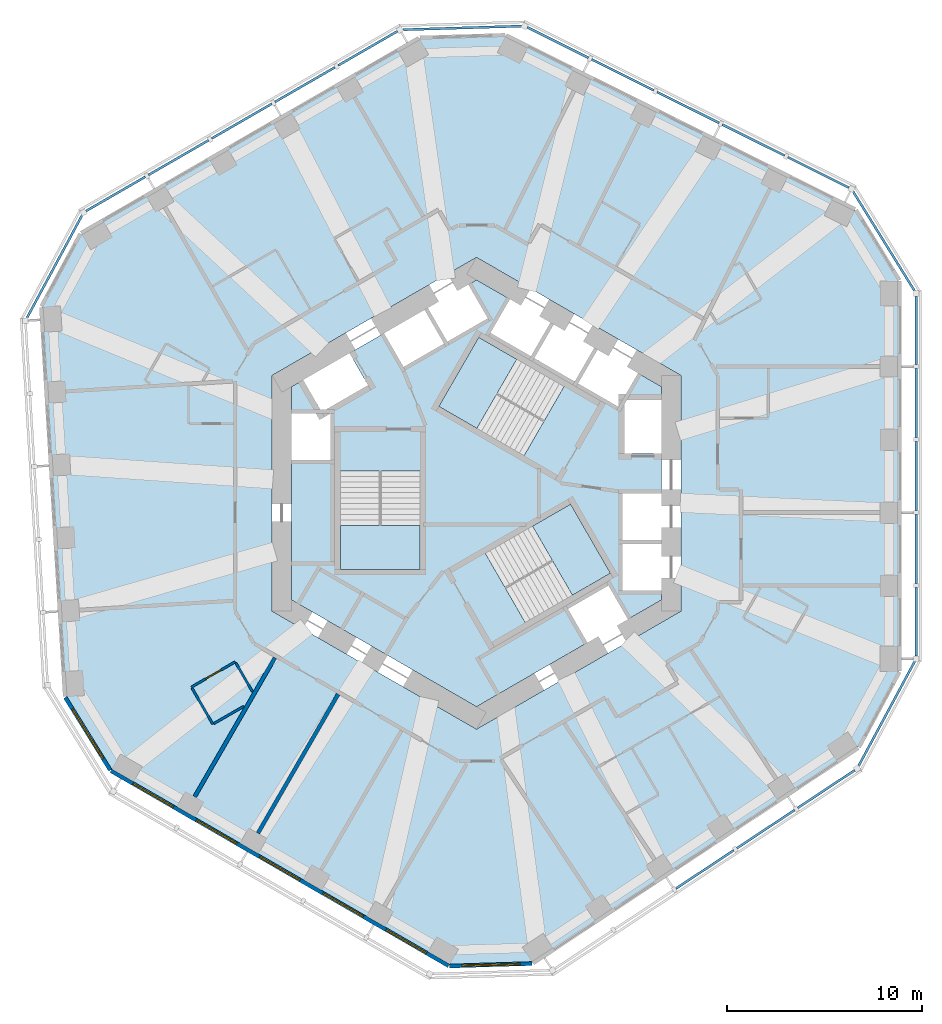
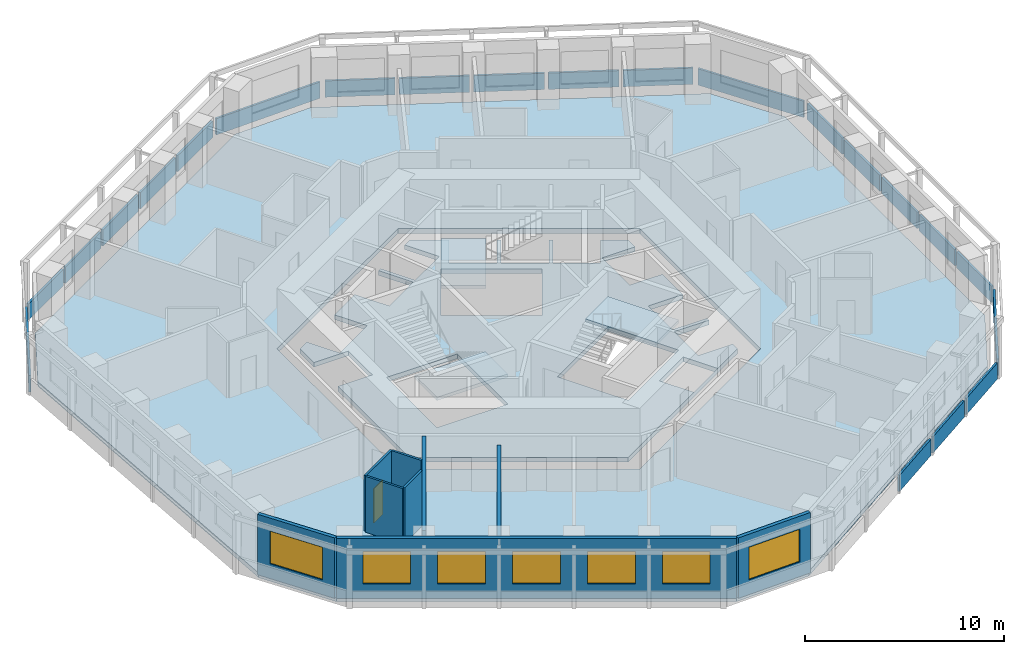
# One storey, part 3 of 11: 22 plates, 9 walls, 7 windows, 5 slabs, 1 door, 8 openings, 11 elements without a shape of their own.
"""IFC4 building model written with IfcOpenShell, lengths in metres."""

from ifc_helpers import new_model, si_unit, direction, frame, frame_2d, origin, origin_2d, place, context, subcontext, project, spatial, polyline, rectangle, outline, extrude, material, layer, layer_set, type_object, element, fill, aggregate, save


model = new_model("IFC4")

# Units and contexts
model_context = context("Model", 3, precision=1e-05, world=origin(), true_north=direction((0.0, 1.0)))
body_context = subcontext(model_context, "Body", "Model", "MODEL_VIEW")
ifc_project = project(units=[si_unit("LENGTHUNIT", "METRE"), si_unit("AREAUNIT", "SQUARE_METRE"), si_unit("VOLUMEUNIT", "CUBIC_METRE"), si_unit("PLANEANGLEUNIT", "RADIAN"), si_unit("MASSUNIT", "GRAM", prefix="KILO")], contexts=[model_context])

# Site, building, storey
site_placement = place(None, origin())
site = spatial("IfcSite", under=ifc_project, at=site_placement, CompositionType="ELEMENT")
building_placement = place(site_placement, origin())
building = spatial("IfcBuilding", under=site, at=building_placement, Name="Vanh Sen Convention Tower", CompositionType="ELEMENT")
storey_placement = place(building_placement, frame((0.0, 0.0, 128.10009765625)))
storey = spatial("IfcBuildingStorey", under=building, at=storey_placement, Name="L31", CompositionType="ELEMENT", Elevation=128.10009765625)

# Slabs
ifc_material_1 = material(Name="Concrete C40/50", Category="concrete")
ifc_layer_1 = layer(ifc_material_1, 0.280029296875)
ifc_layer_set_1 = layer_set([ifc_layer_1], Name="Concrete C40/50")
slab_type_1 = type_object("IfcSlabType", Name="Core slab 280", PredefinedType="FLOOR", material=ifc_layer_set_1)
slab_1_placement = place(storey_placement, frame((0.0, 0.0, -0.280029296875)))
element("IfcSlab", 1, at=slab_1_placement, inside=storey, type_object=slab_type_1, Name="Core slab L31", PredefinedType="FLOOR", context=body_context, shape_type="SweptSolid", body=[
    extrude(outline(polyline([(9.5, 5.48486328125), (9.5, 4.800048828125), (7.60009765625, 4.800048828125), (7.60009765625, 2.050048828125), (9.5, 2.050048828125), (9.5, 0.0), (7.5, 0.0), (7.5, -2.39990234375), (9.5, -2.39990234375), (9.5, -2.60009765625), (7.5, -2.60009765625), (7.5, -5.0), (9.5, -5.0), (9.5, -5.48486328125), (0.0, -10.9697265625), (-9.5, -5.48486328125), (-9.5, 1.699951171875), (-7.5, 1.699951171875), (-7.5, 4.10009765625), (-9.5, 4.10009765625), (-9.5, 5.48486328125), (-8.906982421875, 5.8271484375), (-7.956787109375, 4.181884765625), (-5.575439453125, 5.556884765625), (-6.525390625, 7.2021484375), (-4.75, 8.227294921875), (-3.75, 6.4951171875), (-1.67138671875, 7.6953125), (-2.67138671875, 9.42724609375), (-2.498291015625, 9.527099609375), (-1.498291015625, 7.795166015625), (0.580078125, 8.9951171875), (-0.419921875, 10.727294921875), (0.0, 10.9697265625), (1.718994140625, 9.977294921875), (0.718994140625, 8.2451171875), (2.79736328125, 7.045166015625), (3.79736328125, 8.777099609375), (3.970703125, 8.67724609375), (2.970703125, 6.9453125), (5.049072265625, 5.7451171875), (6.049072265625, 7.477294921875), (6.22216796875, 7.377197265625), (5.22216796875, 5.645263671875), (7.30078125, 4.4453125), (8.30078125, 6.17724609375), (9.5, 5.48486328125)]), holes=[polyline([(-7.0, 3.14990234375), (-7.0, -3.909912109375), (-2.89990234375, -3.909912109375), (-2.89990234375, 3.14990234375), (-2.89990234375, 1.1494140625), (-7.0, 1.1494140625), (-7.0, 3.14990234375)]), polyline([(4.495361328125, 5.487548828125), (6.22802734375, 4.4873046875), (0.11376953125, 8.01708984375), (-1.936279296875, 4.466552734375), (2.4453125, 1.936767578125), (4.495361328125, 5.487548828125)]), polyline([(7.781005859375, -6.477294921875), (6.781005859375, -4.7451171875), (4.70263671875, -5.9453125), (5.70263671875, -7.67724609375), (7.781005859375, -6.477294921875)]), polyline([(0.45458984375, -3.086181640625), (2.504638671875, -6.63671875), (6.88623046875, -4.107177734375), (4.836181640625, -0.556396484375), (-1.278076171875, -4.08642578125), (0.45458984375, -3.086181640625)])]), origin(), (0.0, 0.0, 1.0), 0.280029296875),
])
ifc_layer_2 = layer(ifc_material_1, 0.280029296875)
ifc_layer_set_2 = layer_set([ifc_layer_2], Name="Concrete C40/50")
slab_type_2 = type_object("IfcSlabType", Name="Floor slab 280 REI 120", PredefinedType="FLOOR", material=ifc_layer_set_2)
slab_2_placement = place(storey_placement, frame((0.0, 0.0, -0.280029296875)))
element("IfcSlab", 2, at=slab_2_placement, inside=storey, type_object=slab_type_2, Name="Floor slab L31 tower", PredefinedType="FLOOR", context=body_context, shape_type="SweptSolid", body=[
    extrude(outline(polyline([(21.699951171875, -9.15087890625), (21.699951171875, 10.91943359375), (19.454833984375, 14.5478515625), (1.492919921875, 23.503173828125), (-2.925048828125, 23.368408203125), (-20.306640625, 13.3330078125), (-22.326171875, 9.574462890625), (-21.100830078125, -10.458740234375), (-18.77490234375, -14.21728515625), (-1.393310546875, -24.25244140625), (2.871337890625, -24.122314453125), (19.60791015625, -13.04443359375), (21.699951171875, -9.15087890625)]), holes=[polyline([(0.0, 12.12451171875), (-10.5, 6.062255859375), (-10.5, -6.062255859375), (0.0, -12.12451171875), (10.5, -6.062255859375), (10.5, 6.062255859375), (0.0, 12.12451171875)])]), origin(), (0.0, 0.0, 1.0), 0.280029296875),
])

# Curtain wall, plates
ifc_material_2 = material(Name="Concrete C50/60", Category="concrete")
curtain_wall_type = type_object("IfcCurtainWallType", Name="Outer skin office zone", PredefinedType="NOTDEFINED", material=ifc_material_2)
curtain_wall_1_placement = place(storey_placement, origin())
curtain_wall_1 = element("IfcCurtainWall", 3, at=curtain_wall_1_placement, inside=storey, type_object=curtain_wall_type, Name="OUTER SKIN E L31", PredefinedType="NOTDEFINED")
ifc_layer_3 = layer(ifc_material_2, 0.1201171875)
ifc_layer_set_3 = layer_set([ifc_layer_3], Name="Concrete C50/60")
plate_type = type_object("IfcPlateType", Name="Outer skin precast screen panel 120", PredefinedType="CURTAIN_PANEL", material=ifc_layer_set_3)
plate_1_placement = place(storey_placement, frame((22.60009765625, -6.59912109375, 0.0), z_axis=(0.0, 0.0, 1.0), x_axis=(0.0, 1.0, 0.0)))
plate_1 = element("IfcPlate", 4, at=plate_1_placement, type_object=plate_type, Name="OUTER SKIN screen panel E-1", PredefinedType="CURTAIN_PANEL", context=body_context, shape_type="SweptSolid", body=[
    extrude(rectangle(XDim=3.504150390625, YDim=0.1201171875, at=origin_2d()), origin(), (0.0, 0.0, 1.0), 1.0),
])
plate_2_placement = place(storey_placement, frame((22.60009765625, -2.869873046875, 0.0), z_axis=(0.0, 0.0, 1.0), x_axis=(0.0, 1.0, 0.0)))
plate_2 = element("IfcPlate", 5, at=plate_2_placement, type_object=plate_type, Name="OUTER SKIN screen panel E-2", PredefinedType="CURTAIN_PANEL", context=body_context, shape_type="SweptSolid", body=[
    extrude(rectangle(XDim=3.55419921875, YDim=0.1201171875, at=origin_2d()), origin(), (0.0, 0.0, 1.0), 1.0),
])
plate_3_placement = place(storey_placement, frame((22.60009765625, 0.88427734375, 0.0), z_axis=(0.0, 0.0, 1.0), x_axis=(0.0, 1.0, 0.0)))
plate_3 = element("IfcPlate", 6, at=plate_3_placement, type_object=plate_type, Name="OUTER SKIN screen panel E-3", PredefinedType="CURTAIN_PANEL", context=body_context, shape_type="SweptSolid", body=[
    extrude(rectangle(XDim=3.55419921875, YDim=0.1201171875, at=origin_2d()), origin(), (0.0, 0.0, 1.0), 1.0),
])
plate_4_placement = place(storey_placement, frame((22.60009765625, 4.63818359375, 0.0), z_axis=(0.0, 0.0, 1.0), x_axis=(0.0, 1.0, 0.0)))
plate_4 = element("IfcPlate", 7, at=plate_4_placement, type_object=plate_type, Name="OUTER SKIN screen panel E-4", PredefinedType="CURTAIN_PANEL", context=body_context, shape_type="SweptSolid", body=[
    extrude(rectangle(XDim=3.55419921875, YDim=0.1201171875, at=origin_2d()), origin(), (0.0, 0.0, 1.0), 1.0),
])
plate_5_placement = place(storey_placement, frame((22.60009765625, 8.367431640625, 0.0), z_axis=(0.0, 0.0, 1.0), x_axis=(0.0, 1.0, 0.0)))
plate_5 = element("IfcPlate", 8, at=plate_5_placement, type_object=plate_type, Name="OUTER SKIN screen panel E-5", PredefinedType="CURTAIN_PANEL", context=body_context, shape_type="SweptSolid", body=[
    extrude(rectangle(XDim=3.504150390625, YDim=0.1201171875, at=origin_2d()), origin(), (0.0, 0.0, 1.0), 1.0),
])
aggregate(curtain_wall_1, [plate_1, plate_2, plate_3, plate_4, plate_5])

# Curtain wall, plate
curtain_wall_2_placement = place(storey_placement, origin())
curtain_wall_2 = element("IfcCurtainWall", 9, at=curtain_wall_2_placement, inside=storey, type_object=curtain_wall_type, Name="OUTER SKIN CH1 L31", PredefinedType="NOTDEFINED")
plate_6_placement = place(storey_placement, frame((20.937255859375, 12.956298828125, 0.0), z_axis=(0.0, 0.0, 1.0), x_axis=(-0.5262035346, 0.850358653848, 0.0)))
plate_6 = element("IfcPlate", 10, at=plate_6_placement, type_object=plate_type, Name="OUTER SKIN screen panel CH1-1", PredefinedType="CURTAIN_PANEL", context=body_context, shape_type="SweptSolid", body=[
    extrude(rectangle(XDim=6.01953125, YDim=0.1201171875, at=origin_2d()), origin(), (0.0, 0.0, 1.0), 1.0),
])
aggregate(curtain_wall_2, [plate_6])

# Curtain wall, plates
curtain_wall_3_placement = place(storey_placement, origin())
curtain_wall_3 = element("IfcCurtainWall", 11, at=curtain_wall_3_placement, inside=storey, type_object=curtain_wall_type, Name="OUTER SKIN NE L31", PredefinedType="NOTDEFINED")
plate_7_placement = place(storey_placement, frame((17.572509765625, 16.491943359375, 0.0), z_axis=(0.0, 0.0, 1.0), x_axis=(-0.894943706551, 0.446179069551, 0.0)))
plate_7 = element("IfcPlate", 12, at=plate_7_placement, type_object=plate_type, Name="OUTER SKIN screen panel NE-1", PredefinedType="CURTAIN_PANEL", context=body_context, shape_type="SweptSolid", body=[
    extrude(rectangle(XDim=3.504150390625, YDim=0.1201171875, at=origin_2d()), origin(), (0.0, 0.0, 1.0), 1.0),
])
plate_8_placement = place(storey_placement, frame((14.235107421875, 18.156005859375, 0.0), z_axis=(0.0, 0.0, 1.0), x_axis=(-0.894932804072, 0.446200937017, 0.0)))
plate_8 = element("IfcPlate", 13, at=plate_8_placement, type_object=plate_type, Name="OUTER SKIN screen panel NE-2", PredefinedType="CURTAIN_PANEL", context=body_context, shape_type="SweptSolid", body=[
    extrude(rectangle(XDim=3.55419921875, YDim=0.1201171875, at=origin_2d()), origin(), (0.0, 0.0, 1.0), 1.0),
])
plate_9_placement = place(storey_placement, frame((10.87548828125, 19.8310546875, 0.0), z_axis=(0.0, 0.0, 1.0), x_axis=(-0.894932804072, 0.446200937017, 0.0)))
plate_9 = element("IfcPlate", 14, at=plate_9_placement, type_object=plate_type, Name="OUTER SKIN screen panel NE-3", PredefinedType="CURTAIN_PANEL", context=body_context, shape_type="SweptSolid", body=[
    extrude(rectangle(XDim=3.55419921875, YDim=0.1201171875, at=origin_2d()), origin(), (0.0, 0.0, 1.0), 1.0),
])
plate_10_placement = place(storey_placement, frame((7.515625, 21.506103515625, 0.0), z_axis=(0.0, 0.0, 1.0), x_axis=(-0.894932804072, 0.446200937017, 0.0)))
plate_10 = element("IfcPlate", 15, at=plate_10_placement, type_object=plate_type, Name="OUTER SKIN screen panel NE-4", PredefinedType="CURTAIN_PANEL", context=body_context, shape_type="SweptSolid", body=[
    extrude(rectangle(XDim=3.55419921875, YDim=0.1201171875, at=origin_2d()), origin(), (0.0, 0.0, 1.0), 1.0),
])
plate_11_placement = place(storey_placement, frame((4.178466796875, 23.169921875, 0.0), z_axis=(0.0, 0.0, 1.0), x_axis=(-0.894943706551, 0.446179069551, 0.0)))
plate_11 = element("IfcPlate", 16, at=plate_11_placement, type_object=plate_type, Name="OUTER SKIN screen panel NE-5", PredefinedType="CURTAIN_PANEL", context=body_context, shape_type="SweptSolid", body=[
    extrude(rectangle(XDim=3.504150390625, YDim=0.1201171875, at=origin_2d()), origin(), (0.0, 0.0, 1.0), 1.0),
])
aggregate(curtain_wall_3, [plate_7, plate_8, plate_9, plate_10, plate_11])

# Curtain wall, plate
curtain_wall_4_placement = place(storey_placement, origin())
curtain_wall_4 = element("IfcCurtainWall", 17, at=curtain_wall_4_placement, inside=storey, type_object=curtain_wall_type, Name="OUTER SKIN CH2 L31", PredefinedType="NOTDEFINED")
plate_12_placement = place(storey_placement, frame((-0.73095703125, 23.920654296875, 0.0), z_axis=(0.0, 0.0, 1.0), x_axis=(-0.999533590837, -0.03053851321, 0.0)))
plate_12 = element("IfcPlate", 18, at=plate_12_placement, type_object=plate_type, Name="OUTER SKIN screen panel CH2-1", PredefinedType="CURTAIN_PANEL", context=body_context, shape_type="SweptSolid", body=[
    extrude(rectangle(XDim=6.1171875, YDim=0.1201171875, at=origin_2d()), origin(), (0.0, 0.0, 1.0), 1.0),
])
aggregate(curtain_wall_4, [plate_12])

# Curtain wall, plates
curtain_wall_5_placement = place(storey_placement, origin())
curtain_wall_5 = element("IfcCurtainWall", 19, at=curtain_wall_5_placement, inside=storey, type_object=curtain_wall_type, Name="OUTER SKIN NW L31", PredefinedType="NOTDEFINED")
plate_13_placement = place(storey_placement, frame((-5.585205078125, 22.87158203125, 0.0), z_axis=(0.0, 0.0, 1.0), x_axis=(-0.866035002936, -0.499983373414, 0.0)))
plate_13 = element("IfcPlate", 20, at=plate_13_placement, type_object=plate_type, Name="OUTER SKIN screen panel NW-1", PredefinedType="CURTAIN_PANEL", context=body_context, shape_type="SweptSolid", body=[
    extrude(rectangle(XDim=3.504150390625, YDim=0.1201171875, at=origin_2d()), origin(), (0.0, 0.0, 1.0), 1.0),
])
plate_14_placement = place(storey_placement, frame((-8.814697265625, 21.007080078125, 0.0), z_axis=(0.0, 0.0, 1.0), x_axis=(-0.866016677006, -0.500015114919, 0.0)))
plate_14 = element("IfcPlate", 21, at=plate_14_placement, type_object=plate_type, Name="OUTER SKIN screen panel NW-2", PredefinedType="CURTAIN_PANEL", context=body_context, shape_type="SweptSolid", body=[
    extrude(rectangle(XDim=3.55419921875, YDim=0.1201171875, at=origin_2d()), origin(), (0.0, 0.0, 1.0), 1.0),
])
plate_15_placement = place(storey_placement, frame((-12.06591796875, 19.1298828125, 0.0), z_axis=(0.0, 0.0, 1.0), x_axis=(-0.866035002936, -0.499983373414, 0.0)))
plate_15 = element("IfcPlate", 22, at=plate_15_placement, type_object=plate_type, Name="OUTER SKIN screen panel NW-3", PredefinedType="CURTAIN_PANEL", context=body_context, shape_type="SweptSolid", body=[
    extrude(rectangle(XDim=3.55419921875, YDim=0.1201171875, at=origin_2d()), origin(), (0.0, 0.0, 1.0), 1.0),
])
plate_16_placement = place(storey_placement, frame((-15.31689453125, 17.2529296875, 0.0), z_axis=(0.0, 0.0, 1.0), x_axis=(-0.866016677006, -0.500015114919, 0.0)))
plate_16 = element("IfcPlate", 23, at=plate_16_placement, type_object=plate_type, Name="OUTER SKIN screen panel NW-4", PredefinedType="CURTAIN_PANEL", context=body_context, shape_type="SweptSolid", body=[
    extrude(rectangle(XDim=3.55419921875, YDim=0.1201171875, at=origin_2d()), origin(), (0.0, 0.0, 1.0), 1.0),
])
plate_17_placement = place(storey_placement, frame((-18.54638671875, 15.388427734375, 0.0), z_axis=(0.0, 0.0, 1.0), x_axis=(-0.866035002936, -0.499983373414, 0.0)))
plate_17 = element("IfcPlate", 24, at=plate_17_placement, type_object=plate_type, Name="OUTER SKIN screen panel NW-5", PredefinedType="CURTAIN_PANEL", context=body_context, shape_type="SweptSolid", body=[
    extrude(rectangle(XDim=3.504150390625, YDim=0.1201171875, at=origin_2d()), origin(), (0.0, 0.0, 1.0), 1.0),
])
aggregate(curtain_wall_5, [plate_13, plate_14, plate_15, plate_16, plate_17])

# Curtain wall, plate
curtain_wall_6_placement = place(storey_placement, origin())
curtain_wall_6 = element("IfcCurtainWall", 25, at=curtain_wall_6_placement, inside=storey, type_object=curtain_wall_type, Name="OUTER SKIN CH3 L31", PredefinedType="NOTDEFINED")
plate_18_placement = place(storey_placement, frame((-21.689208984375, 11.654052734375, 0.0), z_axis=(0.0, 0.0, 1.0), x_axis=(-0.47331812974, -0.880891564303, 0.0)))
plate_18 = element("IfcPlate", 26, at=plate_18_placement, type_object=plate_type, Name="OUTER SKIN screen panel CH3-1", PredefinedType="CURTAIN_PANEL", context=body_context, shape_type="SweptSolid", body=[
    extrude(rectangle(XDim=6.019287109375, YDim=0.1201171875, at=origin_2d()), origin(), (0.0, 0.0, 1.0), 1.0),
])
aggregate(curtain_wall_6, [plate_18])

# Curtain wall, plates
curtain_wall_7_placement = place(storey_placement, origin())
curtain_wall_7 = element("IfcCurtainWall", 27, at=curtain_wall_7_placement, inside=storey, type_object=curtain_wall_type, Name="OUTER SKIN SE L31", PredefinedType="NOTDEFINED")
plate_19_placement = place(storey_placement, frame((11.736328125, -19.333984375, 0.0), z_axis=(0.0, 0.0, 1.0), x_axis=(0.833877152158, 0.551950083892, 0.0)))
plate_19 = element("IfcPlate", 28, at=plate_19_placement, type_object=plate_type, Name="OUTER SKIN screen panel SE-3", PredefinedType="CURTAIN_PANEL", context=body_context, shape_type="SweptSolid", body=[
    extrude(rectangle(XDim=3.55419921875, YDim=0.1201171875, at=origin_2d()), origin(), (0.0, 0.0, 1.0), 1.0),
])
plate_20_placement = place(storey_placement, frame((14.866943359375, -17.26171875, 0.0), z_axis=(0.0, 0.0, 1.0), x_axis=(0.833889675294, 0.551931163677, 0.0)))
plate_20 = element("IfcPlate", 29, at=plate_20_placement, type_object=plate_type, Name="OUTER SKIN screen panel SE-4", PredefinedType="CURTAIN_PANEL", context=body_context, shape_type="SweptSolid", body=[
    extrude(rectangle(XDim=3.55419921875, YDim=0.1201171875, at=origin_2d()), origin(), (0.0, 0.0, 1.0), 1.0),
])
plate_21_placement = place(storey_placement, frame((17.9765625, -15.20361328125, 0.0), z_axis=(0.0, 0.0, 1.0), x_axis=(0.833889675294, 0.551931163677, 0.0)))
plate_21 = element("IfcPlate", 30, at=plate_21_placement, type_object=plate_type, Name="OUTER SKIN screen panel SE-5", PredefinedType="CURTAIN_PANEL", context=body_context, shape_type="SweptSolid", body=[
    extrude(rectangle(XDim=3.504150390625, YDim=0.1201171875, at=origin_2d()), origin(), (0.0, 0.0, 1.0), 1.0),
])
aggregate(curtain_wall_7, [plate_19, plate_20, plate_21])

# Curtain wall, plate
curtain_wall_8_placement = place(storey_placement, origin())
curtain_wall_8 = element("IfcCurtainWall", 31, at=curtain_wall_8_placement, inside=storey, type_object=curtain_wall_type, Name="OUTER SKIN CH6 L31", PredefinedType="NOTDEFINED")
plate_22_placement = place(storey_placement, frame((21.081298828125, -11.327392578125, 0.0), z_axis=(0.0, 0.0, 1.0), x_axis=(0.473321204628, 0.880889912105, 0.0)))
plate_22 = element("IfcPlate", 32, at=plate_22_placement, type_object=plate_type, Name="OUTER SKIN screen panel CH6-1", PredefinedType="CURTAIN_PANEL", context=body_context, shape_type="SweptSolid", body=[
    extrude(rectangle(XDim=6.1171875, YDim=0.1201171875, at=origin_2d()), origin(), (0.0, 0.0, 1.0), 1.0),
])
aggregate(curtain_wall_8, [plate_22])

# Stair, slab
ifc_material_3 = material(Name="Concrete C50/60", Category="concrete")
stair_type_1 = type_object("IfcStairType", Name="Exit stair ST1 22 risers at 168.2", PredefinedType="HALF_TURN_STAIR", material=ifc_material_3)
stair_1_placement = place(storey_placement, origin())
stair_1 = element("IfcStair", 33, at=stair_1_placement, inside=storey, type_object=stair_type_1, Name="Exit stair ST1 L31", PredefinedType="HALF_TURN_STAIR")
ifc_layer_4 = layer(ifc_material_1, 0.199951171875)
ifc_layer_set_4 = layer_set([ifc_layer_4], Name="Concrete C40/50")
slab_type_3 = type_object("IfcSlabType", Name="Stair landing 200", PredefinedType="LANDING", material=ifc_layer_set_4)
slab_3_placement = place(storey_placement, frame((0.0, 0.0, 1.64990234375)))
slab_3 = element("IfcSlab", 34, at=slab_3_placement, type_object=slab_type_3, Name="ST1 landing 1", PredefinedType="LANDING", context=body_context, shape_type="SweptSolid", body=[
    extrude(outline(polyline([(2.07177734375, 6.88671875), (0.11376953125, 8.01708984375), (-1.936279296875, 4.466552734375), (0.021728515625, 3.336181640625), (2.07177734375, 6.88671875)])), origin(), (0.0, 0.0, 1.0), 0.199951171875),
])
aggregate(stair_1, [slab_3])

stair_type_2 = type_object("IfcStairType", Name="Exit stair ST2 22 risers at 168.2", PredefinedType="HALF_TURN_STAIR", material=ifc_material_3)
stair_2_placement = place(storey_placement, origin())
stair_2 = element("IfcStair", 35, at=stair_2_placement, inside=storey, type_object=stair_type_2, Name="Exit stair ST2 L31", PredefinedType="HALF_TURN_STAIR")
slab_4_placement = place(storey_placement, frame((0.0, 0.0, 1.64990234375)))
slab_4 = element("IfcSlab", 36, at=slab_4_placement, type_object=slab_type_3, Name="ST2 landing 1", PredefinedType="LANDING", context=body_context, shape_type="SweptSolid", body=[
    extrude(outline(polyline([(-7.0, -1.6494140625), (-7.0, -3.909912109375), (-2.89990234375, -3.909912109375), (-2.89990234375, -1.6494140625), (-7.0, -1.6494140625)])), origin(), (0.0, 0.0, 1.0), 0.199951171875),
])
aggregate(stair_2, [slab_4])

stair_type_3 = type_object("IfcStairType", Name="Exit stair ST3 22 risers at 168.2", PredefinedType="HALF_TURN_STAIR", material=ifc_material_3)
stair_3_placement = place(storey_placement, origin())
stair_3 = element("IfcStair", 37, at=stair_3_placement, inside=storey, type_object=stair_type_3, Name="Exit stair ST3 L31", PredefinedType="HALF_TURN_STAIR")
slab_5_placement = place(storey_placement, frame((0.0, 0.0, 1.64990234375)))
slab_5 = element("IfcSlab", 38, at=slab_5_placement, type_object=slab_type_3, Name="ST3 landing 1", PredefinedType="LANDING", context=body_context, shape_type="SweptSolid", body=[
    extrude(outline(polyline([(4.92822265625, -5.237548828125), (6.88623046875, -4.107177734375), (4.836181640625, -0.556396484375), (2.87841796875, -1.686767578125), (4.92822265625, -5.237548828125)])), origin(), (0.0, 0.0, 1.0), 0.199951171875),
])
aggregate(stair_3, [slab_5])

# Wall, opening, door
ifc_material_4 = material(Name="Moisture-resistant gypsum board on steel studs", Category="steel")
ifc_layer_5 = layer(ifc_material_4, 0.1201171875)
ifc_layer_set_5 = layer_set([ifc_layer_5], Name="Moisture-resistant gypsum board on steel studs")
wall_type_1 = type_object("IfcWallType", Name="Bathroom partition 120", PredefinedType="PARTITIONING", material=ifc_layer_set_5)
wall_1_placement = place(storey_placement, frame((-14.652587890625, -9.960693359375, 0.0), z_axis=(0.0, 0.0, 1.0), x_axis=(0.866021400173, 0.500006934395, 0.0)))
wall_1 = element("IfcWall", 39, at=wall_1_placement, inside=storey, type_object=wall_type_1, Name="Bathroom partition 120", PredefinedType="PARTITIONING", context=body_context, shape_type="SweptSolid", body=[
    extrude(rectangle(XDim=2.60009765625, YDim=0.1201171875, at=frame_2d((1.300048828125, 0.0))), origin(), (0.0, 0.0, 1.0), 3.419921875),
])
opening_1_placement = place(wall_1_placement, frame((0.85009765625, 0.0, 0.0)))
opening_1 = element("IfcOpeningElement", 40, at=opening_1_placement, cuts=wall_1, Name="Opening D30118", PredefinedType="OPENING", context=body_context, shape_type="SweptSolid", body=[
    extrude(rectangle(XDim=0.89990234375, YDim=2.10009765625, at=frame_2d((0.449951171875, 1.050048828125))), frame((0.0, 0.070068359375, 0.0), z_axis=(0.0, -1.0, 0.0), x_axis=(1.0, 0.0, 0.0)), (0.0, 0.0, 1.0), 0.14013671875),
])
ifc_material_5 = material(Name="Laminate door in steel frame", Category="steel")
door_type = type_object("IfcDoorType", Name="Room internal door 900", OperationType="SINGLE_SWING_LEFT", PredefinedType="DOOR", material=ifc_material_5)
door_placement = place(opening_1_placement, origin())
door = element("IfcDoor", 41, at=door_placement, inside=storey, type_object=door_type, Name="Internal room door D30118", OperationType="SINGLE_SWING_LEFT", OverallHeight=2.10009765625, OverallWidth=0.89990234375, PredefinedType="DOOR", context=body_context, shape_type="SweptSolid", body=[
    extrude(rectangle(XDim=0.89990234375, YDim=2.10009765625, at=frame_2d((0.449951171875, 1.050048828125))), frame((0.0, 0.02490234375, 0.0), z_axis=(0.0, -1.0, 0.0), x_axis=(1.0, 0.0, 0.0)), (0.0, 0.0, 1.0), 0.050048828125),
])
fill(opening_1, door)

# Walls
wall_2_placement = place(storey_placement, frame((-13.552490234375, -11.865966796875, 0.0), z_axis=(0.0, 0.0, 1.0), x_axis=(-0.500028586798, 0.86600889856, 0.0)))
element("IfcWall", 42, at=wall_2_placement, inside=storey, type_object=wall_type_1, Name="Bathroom partition 120", PredefinedType="PARTITIONING", context=body_context, shape_type="SweptSolid", body=[
    extrude(rectangle(XDim=2.139892578125, YDim=0.1201171875, at=frame_2d((1.06982421875, 0.0))), origin(), (0.0, 0.0, 1.0), 3.419921875),
])
wall_3_placement = place(storey_placement, frame((-12.370849609375, -8.712646484375, 0.0), z_axis=(0.0, 0.0, 1.0), x_axis=(0.499910907645, -0.86607683517, 0.0)))
element("IfcWall", 43, at=wall_3_placement, inside=storey, type_object=wall_type_1, Name="Bathroom partition 120", PredefinedType="PARTITIONING", context=body_context, shape_type="SweptSolid", body=[
    extrude(rectangle(XDim=1.719482421875, YDim=0.1201171875, at=frame_2d((0.85986328125, 0.0))), origin(), (0.0, 0.0, 1.0), 3.419921875),
])
wall_4_placement = place(storey_placement, frame((-11.96435546875, -10.948974609375, 0.0), z_axis=(0.0, 0.0, 1.0), x_axis=(-0.86600680221, -0.500032217487, 0.0)))
element("IfcWall", 44, at=wall_4_placement, inside=storey, type_object=wall_type_1, Name="Bathroom partition 120", PredefinedType="PARTITIONING", context=body_context, shape_type="SweptSolid", body=[
    extrude(rectangle(XDim=1.77392578125, YDim=0.1201171875, at=frame_2d((0.886962890625, 0.0))), origin(), (0.0, 0.0, 1.0), 3.419921875),
])

# Wall, opening, window
ifc_material_6 = material(Name="Insulated lightweight infill wall")
ifc_layer_6 = layer(ifc_material_6, 0.199951171875)
ifc_layer_set_6 = layer_set([ifc_layer_6], Name="Insulated lightweight infill wall")
wall_type_2 = type_object("IfcWallType", Name="External wall 200", PredefinedType="STANDARD", material=ifc_layer_set_6)
wall_5_placement = place(storey_placement, frame((-21.13671875, -10.49560546875, 0.0), z_axis=(0.0, 0.0, 1.0), x_axis=(0.526178661629, -0.850374044786, 0.0)))
wall_5 = element("IfcWall", 45, at=wall_5_placement, inside=storey, type_object=wall_type_2, Name="External wall CH4 L31", PredefinedType="STANDARD", context=body_context, shape_type="SweptSolid", body=[
    extrude(rectangle(XDim=4.394775390625, YDim=0.199951171875, at=frame_2d((2.197265625, 0.0))), origin(), (0.0, 0.0, 1.0), 3.699951171875),
])
opening_2_placement = place(wall_5_placement, frame((0.697509765625, 0.0, 0.89990234375)))
opening_2 = element("IfcOpeningElement", 46, at=opening_2_placement, cuts=wall_5, Name="Opening WO2-CH41", PredefinedType="OPENING", context=body_context, shape_type="SweptSolid", body=[
    extrude(rectangle(XDim=3.0, YDim=2.0, at=frame_2d((1.5, 1.0))), frame((0.0, 0.10986328125, 0.0), z_axis=(0.0, -1.0, 0.0), x_axis=(1.0, 0.0, 0.0)), (0.0, 0.0, 1.0), 0.219970703125),
])
ifc_material_7 = material(Name="Aluminium frame with clear low-emissivity glass", Category="aluminium")
window_type_1 = type_object("IfcWindowType", Name="Office window 3000 x 2000", PartitioningType="SINGLE_PANEL", PredefinedType="WINDOW", material=ifc_material_7)
window_1_placement = place(opening_2_placement, origin())
window_1 = element("IfcWindow", 47, at=window_1_placement, inside=storey, type_object=window_type_1, Name="Window WO2-CH41", OverallHeight=2.0, OverallWidth=3.0, PartitioningType="SINGLE_PANEL", PredefinedType="WINDOW", context=body_context, shape_type="SweptSolid", body=[
    extrude(rectangle(XDim=3.0, YDim=2.0, at=frame_2d((1.5, 1.0))), frame((0.0, 0.030029296875, 0.0), z_axis=(0.0, -1.0, 0.0), x_axis=(1.0, 0.0, 0.0)), (0.0, 0.0, 1.0), 0.06005859375),
])
fill(opening_2, window_1)

# Wall, openings, windows
wall_6_placement = place(storey_placement, frame((-18.7890625, -14.266845703125, 0.0), z_axis=(0.0, 0.0, 1.0), x_axis=(0.866023315909, -0.500003616288, 0.0)))
wall_6 = element("IfcWall", 48, at=wall_6_placement, inside=storey, type_object=wall_type_2, Name="External wall SW L31", PredefinedType="STANDARD", context=body_context, shape_type="SweptSolid", body=[
    extrude(rectangle(XDim=20.043701171875, YDim=0.199951171875, at=frame_2d((10.02197265625, 0.0))), origin(), (0.0, 0.0, 1.0), 3.699951171875),
])
opening_3_placement = place(wall_6_placement, frame((1.314453125, 0.0, 0.89990234375)))
opening_3 = element("IfcOpeningElement", 49, at=opening_3_placement, cuts=wall_6, Name="Opening WO1-SW1", PredefinedType="OPENING", context=body_context, shape_type="SweptSolid", body=[
    extrude(rectangle(XDim=2.39990234375, YDim=2.0, at=frame_2d((1.199951171875, 1.0))), frame((0.0, 0.10986328125, 0.0), z_axis=(0.0, -1.0, 0.0), x_axis=(1.0, 0.0, 0.0)), (0.0, 0.0, 1.0), 0.219970703125),
])
opening_4_placement = place(wall_6_placement, frame((5.068603515625, 0.0, 0.89990234375)))
opening_4 = element("IfcOpeningElement", 50, at=opening_4_placement, cuts=wall_6, Name="Opening WO1-SW2", PredefinedType="OPENING", context=body_context, shape_type="SweptSolid", body=[
    extrude(rectangle(XDim=2.39990234375, YDim=2.0, at=frame_2d((1.199951171875, 1.0))), frame((0.0, 0.10986328125, 0.0), z_axis=(0.0, -1.0, 0.0), x_axis=(1.0, 0.0, 0.0)), (0.0, 0.0, 1.0), 0.219970703125),
])
opening_5_placement = place(wall_6_placement, frame((8.82275390625, 0.0, 0.89990234375)))
opening_5 = element("IfcOpeningElement", 51, at=opening_5_placement, cuts=wall_6, Name="Opening WO1-SW3", PredefinedType="OPENING", context=body_context, shape_type="SweptSolid", body=[
    extrude(rectangle(XDim=2.39990234375, YDim=2.0, at=frame_2d((1.199951171875, 1.0))), frame((0.0, 0.10986328125, 0.0), z_axis=(0.0, -1.0, 0.0), x_axis=(1.0, 0.0, 0.0)), (0.0, 0.0, 1.0), 0.219970703125),
])
opening_6_placement = place(wall_6_placement, frame((12.576904296875, 0.0, 0.89990234375)))
opening_6 = element("IfcOpeningElement", 52, at=opening_6_placement, cuts=wall_6, Name="Opening WO1-SW4", PredefinedType="OPENING", context=body_context, shape_type="SweptSolid", body=[
    extrude(rectangle(XDim=2.39990234375, YDim=2.0, at=frame_2d((1.199951171875, 1.0))), frame((0.0, 0.10986328125, 0.0), z_axis=(0.0, -1.0, 0.0), x_axis=(1.0, 0.0, 0.0)), (0.0, 0.0, 1.0), 0.219970703125),
])
opening_7_placement = place(wall_6_placement, frame((16.330810546875, 0.0, 0.89990234375)))
opening_7 = element("IfcOpeningElement", 53, at=opening_7_placement, cuts=wall_6, Name="Opening WO1-SW5", PredefinedType="OPENING", context=body_context, shape_type="SweptSolid", body=[
    extrude(rectangle(XDim=2.39990234375, YDim=2.0, at=frame_2d((1.199951171875, 1.0))), frame((0.0, 0.10986328125, 0.0), z_axis=(0.0, -1.0, 0.0), x_axis=(1.0, 0.0, 0.0)), (0.0, 0.0, 1.0), 0.219970703125),
])
window_type_2 = type_object("IfcWindowType", Name="Office window 2400 x 2000", PartitioningType="SINGLE_PANEL", PredefinedType="WINDOW", material=ifc_material_7)
window_2_placement = place(opening_3_placement, origin())
window_2 = element("IfcWindow", 54, at=window_2_placement, inside=storey, type_object=window_type_2, Name="Window WO1-SW1", OverallHeight=2.0, OverallWidth=2.39990234375, PartitioningType="SINGLE_PANEL", PredefinedType="WINDOW", context=body_context, shape_type="SweptSolid", body=[
    extrude(rectangle(XDim=2.39990234375, YDim=2.0, at=frame_2d((1.199951171875, 1.0))), frame((0.0, 0.030029296875, 0.0), z_axis=(0.0, -1.0, 0.0), x_axis=(1.0, 0.0, 0.0)), (0.0, 0.0, 1.0), 0.06005859375),
])
fill(opening_3, window_2)
window_3_placement = place(opening_4_placement, origin())
window_3 = element("IfcWindow", 55, at=window_3_placement, inside=storey, type_object=window_type_2, Name="Window WO1-SW2", OverallHeight=2.0, OverallWidth=2.39990234375, PartitioningType="SINGLE_PANEL", PredefinedType="WINDOW", context=body_context, shape_type="SweptSolid", body=[
    extrude(rectangle(XDim=2.39990234375, YDim=2.0, at=frame_2d((1.199951171875, 1.0))), frame((0.0, 0.030029296875, 0.0), z_axis=(0.0, -1.0, 0.0), x_axis=(1.0, 0.0, 0.0)), (0.0, 0.0, 1.0), 0.06005859375),
])
fill(opening_4, window_3)
window_4_placement = place(opening_5_placement, origin())
window_4 = element("IfcWindow", 56, at=window_4_placement, inside=storey, type_object=window_type_2, Name="Window WO1-SW3", OverallHeight=2.0, OverallWidth=2.39990234375, PartitioningType="SINGLE_PANEL", PredefinedType="WINDOW", context=body_context, shape_type="SweptSolid", body=[
    extrude(rectangle(XDim=2.39990234375, YDim=2.0, at=frame_2d((1.199951171875, 1.0))), frame((0.0, 0.030029296875, 0.0), z_axis=(0.0, -1.0, 0.0), x_axis=(1.0, 0.0, 0.0)), (0.0, 0.0, 1.0), 0.06005859375),
])
fill(opening_5, window_4)
window_5_placement = place(opening_6_placement, origin())
window_5 = element("IfcWindow", 57, at=window_5_placement, inside=storey, type_object=window_type_2, Name="Window WO1-SW4", OverallHeight=2.0, OverallWidth=2.39990234375, PartitioningType="SINGLE_PANEL", PredefinedType="WINDOW", context=body_context, shape_type="SweptSolid", body=[
    extrude(rectangle(XDim=2.39990234375, YDim=2.0, at=frame_2d((1.199951171875, 1.0))), frame((0.0, 0.030029296875, 0.0), z_axis=(0.0, -1.0, 0.0), x_axis=(1.0, 0.0, 0.0)), (0.0, 0.0, 1.0), 0.06005859375),
])
fill(opening_6, window_5)
window_6_placement = place(opening_7_placement, origin())
window_6 = element("IfcWindow", 58, at=window_6_placement, inside=storey, type_object=window_type_2, Name="Window WO1-SW5", OverallHeight=2.0, OverallWidth=2.39990234375, PartitioningType="SINGLE_PANEL", PredefinedType="WINDOW", context=body_context, shape_type="SweptSolid", body=[
    extrude(rectangle(XDim=2.39990234375, YDim=2.0, at=frame_2d((1.199951171875, 1.0))), frame((0.0, 0.030029296875, 0.0), z_axis=(0.0, -1.0, 0.0), x_axis=(1.0, 0.0, 0.0)), (0.0, 0.0, 1.0), 0.06005859375),
])
fill(opening_7, window_6)

# Wall, opening, window
wall_7_placement = place(storey_placement, frame((-1.377685546875, -24.302001953125, 0.0), z_axis=(0.0, 0.0, 1.0), x_axis=(0.999533857267, 0.030529791629, 0.0)))
wall_7 = element("IfcWall", 59, at=wall_7_placement, inside=storey, type_object=wall_type_2, Name="External wall CH5 L31", PredefinedType="STANDARD", context=body_context, shape_type="SweptSolid", body=[
    extrude(rectangle(XDim=4.23828125, YDim=0.199951171875, at=frame_2d((2.119140625, 0.0))), origin(), (0.0, 0.0, 1.0), 3.699951171875),
])
opening_8_placement = place(wall_7_placement, frame((0.619140625, 0.0, 0.89990234375)))
opening_8 = element("IfcOpeningElement", 60, at=opening_8_placement, cuts=wall_7, Name="Opening WO2-CH51", PredefinedType="OPENING", context=body_context, shape_type="SweptSolid", body=[
    extrude(rectangle(XDim=3.0, YDim=2.0, at=frame_2d((1.5, 1.0))), frame((0.0, 0.10986328125, 0.0), z_axis=(0.0, -1.0, 0.0), x_axis=(1.0, 0.0, 0.0)), (0.0, 0.0, 1.0), 0.219970703125),
])
window_7_placement = place(opening_8_placement, origin())
window_7 = element("IfcWindow", 61, at=window_7_placement, inside=storey, type_object=window_type_1, Name="Window WO2-CH51", OverallHeight=2.0, OverallWidth=3.0, PartitioningType="SINGLE_PANEL", PredefinedType="WINDOW", context=body_context, shape_type="SweptSolid", body=[
    extrude(rectangle(XDim=3.0, YDim=2.0, at=frame_2d((1.5, 1.0))), frame((0.0, 0.030029296875, 0.0), z_axis=(0.0, -1.0, 0.0), x_axis=(1.0, 0.0, 0.0)), (0.0, 0.0, 1.0), 0.06005859375),
])
fill(opening_8, window_7)

# Walls
ifc_material_8 = material(Name="Gypsum board on steel studs with mineral wool", Category="steel")
ifc_layer_7 = layer(ifc_material_8, 0.199951171875)
ifc_layer_set_7 = layer_set([ifc_layer_7], Name="Gypsum board on steel studs with mineral wool")
wall_type_3 = type_object("IfcWallType", Name="Tenant suite wall 200", PredefinedType="PARTITIONING", material=ifc_layer_set_7)
wall_8_placement = place(storey_placement, frame((-14.48583984375, -15.5966796875, 0.0), z_axis=(0.0, 0.0, 1.0), x_axis=(0.499996545922, 0.866027397988, 0.0)))
element("IfcWall", 62, at=wall_8_placement, inside=storey, type_object=wall_type_3, Name="Tenant suite wall 200", PredefinedType="PARTITIONING", context=body_context, shape_type="SweptSolid", body=[
    extrude(rectangle(XDim=8.25, YDim=0.199951171875, at=frame_2d((4.125, 0.0))), origin(), (0.0, 0.0, 1.0), 3.419921875),
])
wall_9_placement = place(storey_placement, frame((-11.23486328125, -17.4736328125, 0.0), z_axis=(0.0, 0.0, 1.0), x_axis=(0.499996545922, 0.866027397988, 0.0)))
element("IfcWall", 63, at=wall_9_placement, inside=storey, type_object=wall_type_3, Name="Tenant suite wall 200", PredefinedType="PARTITIONING", context=body_context, shape_type="SweptSolid", body=[
    extrude(rectangle(XDim=8.25, YDim=0.199951171875, at=frame_2d((4.125, 0.0))), origin(), (0.0, 0.0, 1.0), 2.869873046875),
])

save(model, "model.ifc")
